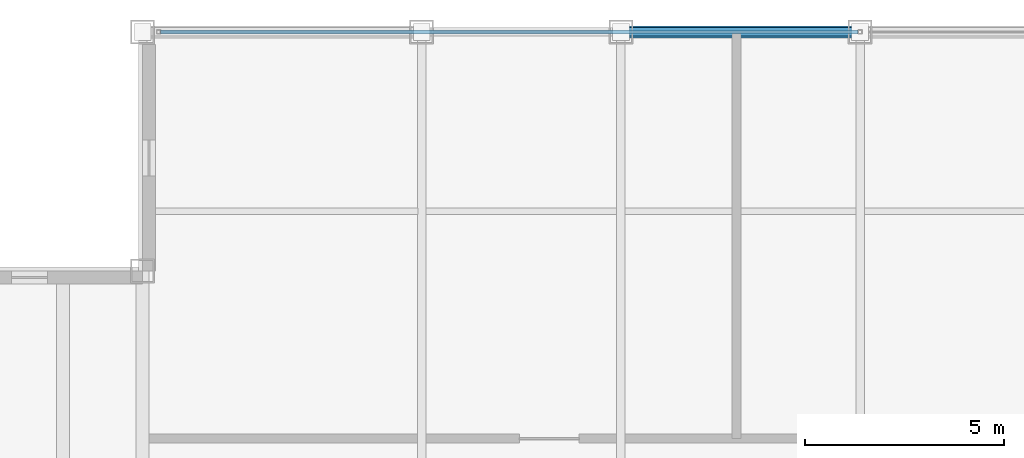
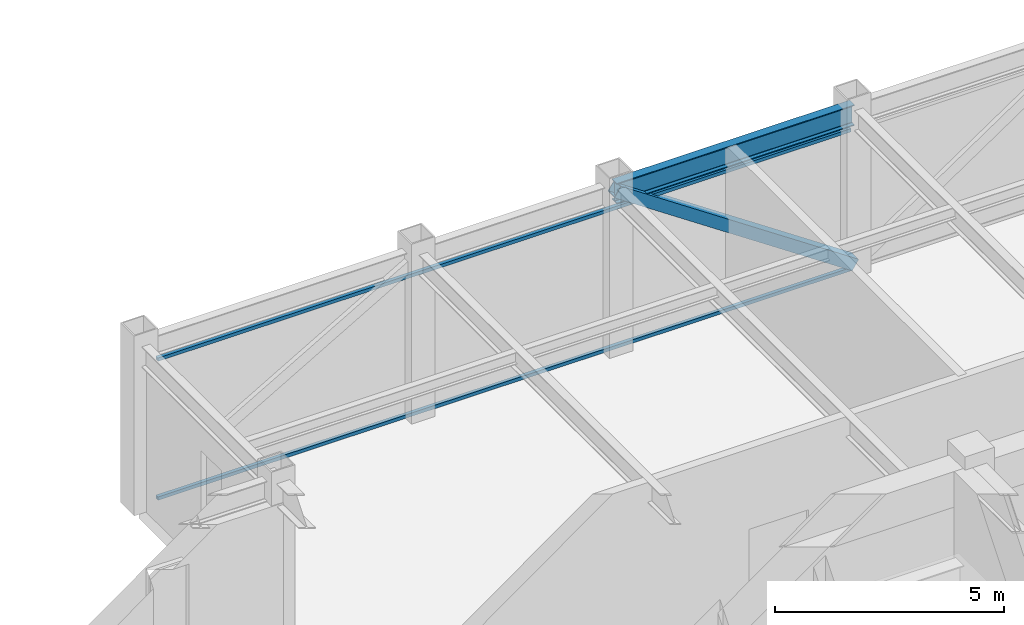
# One storey, part 17 of 27: 3 members, 1 beam, 1 element without a shape of its own.
"""IFC4 building model written with IfcOpenShell, lengths in metres."""

from ifc_helpers import new_model, si_unit, direction, frame, origin, origin_2d, place, context, subcontext, project, spatial, hollow_rectangle, i_section, extrude, source, transform, mapped, material, material_profile, profile_set, type_object, element, aggregate, save


model = new_model("IFC4")

# Units and contexts
model_context = context("Model", 3, precision=1e-05, world=origin(), true_north=direction((0.0, 1.0)))
body_context = subcontext(model_context, "Body", "Model", "MODEL_VIEW")
ifc_project = project(units=[si_unit("LENGTHUNIT", "METRE"), si_unit("AREAUNIT", "SQUARE_METRE"), si_unit("VOLUMEUNIT", "CUBIC_METRE"), si_unit("PLANEANGLEUNIT", "RADIAN"), si_unit("MASSUNIT", "GRAM", prefix="KILO")], contexts=[model_context])

# Site, building, storey
site_placement = place(None, origin())
site = spatial("IfcSite", under=ifc_project, at=site_placement, CompositionType="ELEMENT")
building_placement = place(site_placement, origin())
building = spatial("IfcBuilding", under=site, at=building_placement, Name="Khorayat Bourse Tower", CompositionType="ELEMENT")
storey_placement = place(building_placement, frame((0.0, 0.0, 394.699951171875)))
storey = spatial("IfcBuildingStorey", under=building, at=storey_placement, Name="L93", CompositionType="ELEMENT", Elevation=394.699951171875)

# Beam
ifc_material_1 = material(Name="Steel ASTM A992 Grade 50", Category="steel")
ifc_material_profile_1 = material_profile(ifc_material_1, i_section(OverallWidth=0.214111328125, OverallDepth=0.549072265625, WebThickness=0.0146484375, FlangeThickness=0.023681640625, FilletRadius=0.013916015625, at=origin_2d()), Name="W530X138")
ifc_profile_set_1 = profile_set([ifc_material_profile_1], Name="Steel ASTM A992 Grade 50")
beam_type = type_object("IfcBeamType", Name="BM-SPAN-530", PredefinedType="SPANDREL", material=ifc_profile_set_1)
shared_shape_1 = source(origin(), body_context, "Body", "SweptSolid", [
    extrude(i_section(OverallWidth=0.214111328125, OverallDepth=0.549072265625, WebThickness=0.0146484375, FlangeThickness=0.023681640625, FilletRadius=0.013916015625, at=origin_2d()), origin(), (0.0, 0.0, 1.0), 6.0),
])
beam_placement = place(storey_placement, frame((-6.0, 24.0, 4.175537109375), z_axis=(1.0, 0.0, 0.0), x_axis=(0.0, 1.0, 0.0)))
element("IfcBeam", 1, at=beam_placement, inside=storey, type_object=beam_type, Name="L93 BM-SPAN-530 BM-L93-SPN-043", PredefinedType="SPANDREL", context=body_context, shape_type="MappedRepresentation", body=[
    mapped(shared_shape_1, transform((0.0, 0.0, 0.0), scale=1.0)),
])

# Member
ifc_material_2 = material(Name="Steel EN 10025-2 S355J2", Category="steel")
ifc_material_profile_2 = material_profile(ifc_material_2, hollow_rectangle(XDim=0.300048828125, YDim=0.300048828125, WallThickness=0.01611328125, at=origin_2d()), Name="HSS 300x300x16")
ifc_profile_set_2 = profile_set([ifc_material_profile_2], Name="Steel EN 10025-2 S355J2")
member_type_1 = type_object("IfcMemberType", Name="MBR-CROWN-300", PredefinedType="USERDEFINED", material=ifc_profile_set_2)
shared_shape_2 = source(origin(), body_context, "Body", "SweptSolid", [
    extrude(hollow_rectangle(XDim=0.300048828125, YDim=0.300048828125, WallThickness=0.01611328125, at=origin_2d()), origin(), (0.0, 0.0, 1.0), 7.239013671875),
])
member_1_placement = place(storey_placement, frame((-6.0, 24.0, 4.25), z_axis=(0.828845546207, 0.0, -0.559477488852), x_axis=(0.0, 1.0, 0.0)))
element("IfcMember", 2, at=member_1_placement, inside=storey, type_object=member_type_1, Name="L93 Lantern Crown Frame Member 06", ObjectType="CROWN FRAME", PredefinedType="USERDEFINED", context=body_context, shape_type="MappedRepresentation", body=[
    mapped(shared_shape_2, transform((0.0, 0.0, 0.0), scale=1.0)),
])

# Curtain wall, members
ifc_material_3 = material(Name="Aluminium EN AW-6063 T6", Category="aluminium")
curtain_wall_type = type_object("IfcCurtainWallType", Name="CW-SYS-07", PredefinedType="NOTDEFINED", material=ifc_material_3)
curtain_wall_placement = place(storey_placement, origin())
curtain_wall = element("IfcCurtainWall", 3, at=curtain_wall_placement, inside=storey, type_object=curtain_wall_type, Name="L93 Curtain Wall CW-L93-N1", PredefinedType="NOTDEFINED")
ifc_material_profile_3 = material_profile(ifc_material_3, hollow_rectangle(XDim=0.090087890625, YDim=0.090087890625, WallThickness=0.00390625, at=origin_2d()), Name="ALU 90x90x4")
ifc_profile_set_3 = profile_set([ifc_material_profile_3], Name="Aluminium EN AW-6063 T6")
member_type_2 = type_object("IfcMemberType", Name="CWT-HORZ-90", PredefinedType="USERDEFINED", material=ifc_profile_set_3)
shared_shape_3 = source(origin(), body_context, "Body", "SweptSolid", [
    extrude(hollow_rectangle(XDim=0.090087890625, YDim=0.090087890625, WallThickness=0.00390625, at=origin_2d()), origin(), (0.0, 0.0, 1.0), 17.5),
])
member_2_placement = place(storey_placement, frame((-17.550048828125, 24.0, 0.045166015625), z_axis=(1.0, 0.0, 0.0), x_axis=(0.0, 1.0, 0.0)))
member_2 = element("IfcMember", 4, at=member_2_placement, type_object=member_type_2, Name="CW-L93-N1 Horizontal Transom 1-1", ObjectType="TRANSOM", PredefinedType="USERDEFINED", context=body_context, shape_type="MappedRepresentation", body=[
    mapped(shared_shape_3, transform((0.0, 0.0, 0.0), scale=1.0)),
])
member_3_placement = place(storey_placement, frame((-17.550048828125, 24.0, 3.755126953125), z_axis=(1.0, 0.0, 0.0), x_axis=(0.0, 1.0, 0.0)))
member_3 = element("IfcMember", 5, at=member_3_placement, type_object=member_type_2, Name="CW-L93-N1 Horizontal Transom 1-2", ObjectType="TRANSOM", PredefinedType="USERDEFINED", context=body_context, shape_type="MappedRepresentation", body=[
    mapped(shared_shape_3, transform((0.0, 0.0, 0.0), scale=1.0)),
])
aggregate(curtain_wall, [member_2, member_3])

save(model, "model.ifc")
